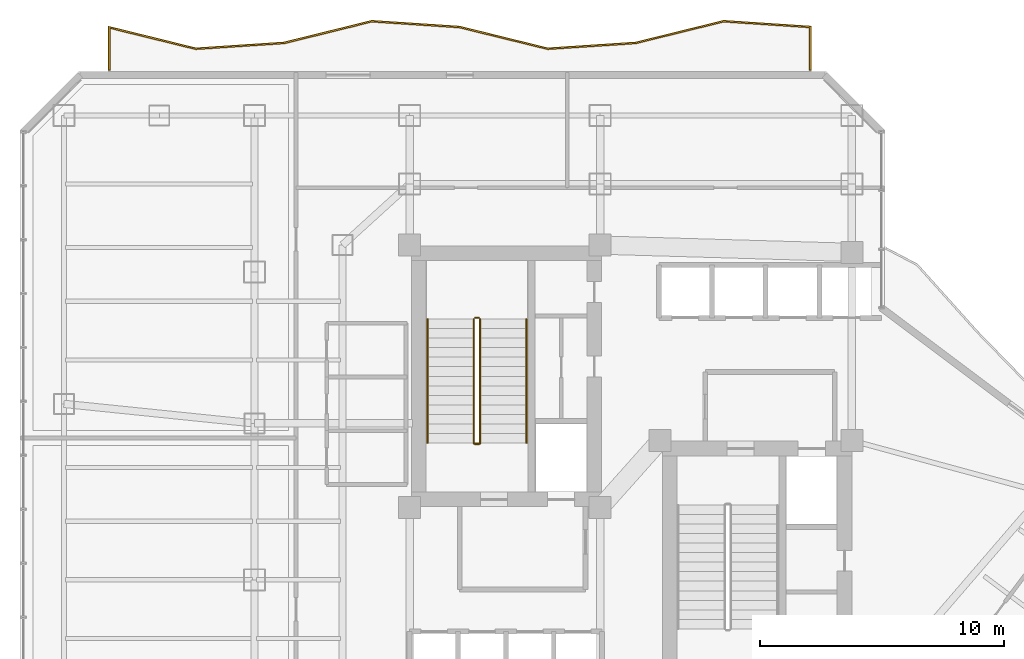
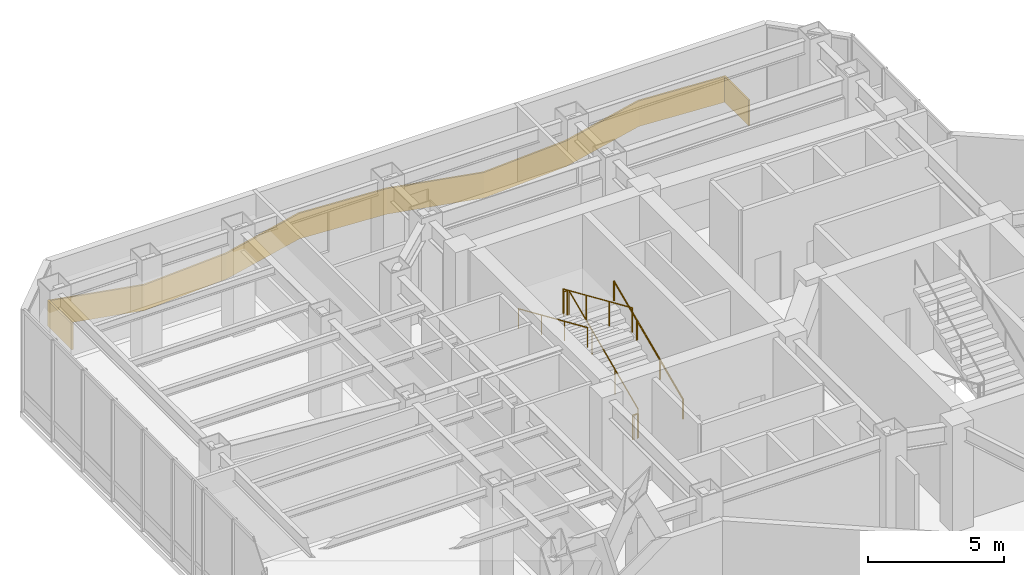
# One storey, part 26 of 27: 8 railings.
"""IFC4 building model written with IfcOpenShell, lengths in metres."""

from ifc_helpers import new_model, si_unit, direction, frame, origin, origin_2d, place, context, subcontext, project, spatial, polyline, circle, outline, extrude, material, layer, layer_set, type_object, element, save


model = new_model("IFC4")

# Units and contexts
model_context = context("Model", 3, precision=1e-05, world=origin(), true_north=direction((0.0, 1.0)))
body_context = subcontext(model_context, "Body", "Model", "MODEL_VIEW")
ifc_project = project(units=[si_unit("LENGTHUNIT", "METRE"), si_unit("AREAUNIT", "SQUARE_METRE"), si_unit("VOLUMEUNIT", "CUBIC_METRE"), si_unit("PLANEANGLEUNIT", "RADIAN"), si_unit("MASSUNIT", "GRAM", prefix="KILO")], contexts=[model_context])

# Site, building, storey
site_placement = place(None, origin())
site = spatial("IfcSite", under=ifc_project, at=site_placement, CompositionType="ELEMENT")
building_placement = place(site_placement, origin())
building = spatial("IfcBuilding", under=site, at=building_placement, Name="Hatsunagi Terrace Concourse", CompositionType="ELEMENT")
storey_placement = place(building_placement, frame((0.0, 0.0, 96.449951171875)))
storey = spatial("IfcBuildingStorey", under=building, at=storey_placement, Name="L25", CompositionType="ELEMENT", Elevation=96.449951171875)

# Railings
ifc_material_1 = material(Name="Laminated Glass and Stainless Steel Guard", Category="steel")
ifc_layer_1 = layer(ifc_material_1, 0.070068359375)
ifc_layer_set_1 = layer_set([ifc_layer_1], Name="BalconyGlassGuardRail_1150")
railing_type_1 = type_object("IfcRailingType", Name="BalconyGlassGuardRail_1150", PredefinedType="BALUSTRADE", material=ifc_layer_set_1)
railing_1_placement = place(storey_placement, origin())
element("IfcRailing", 1, at=railing_1_placement, inside=storey, type_object=railing_type_1, Name="Engawa Balcony Guard GRD-01 L25-BN-1", PredefinedType="BALUSTRADE", context=body_context, shape_type="SweptSolid", body=[
    extrude(outline(polyline([(13.215087890625, 50.449951171875), (13.284912109375, 50.449951171875), (13.284912109375, 52.166259765625), (16.79296875, 51.3017578125), (20.413330078125, 51.540283203125), (24.007080078125, 52.427734375), (27.586669921875, 52.190185546875), (31.19287109375, 51.3017578125), (34.8134765625, 51.540283203125), (38.406982421875, 52.427734375), (41.9150390625, 52.1953125), (41.9150390625, 50.449951171875), (41.985107421875, 50.449951171875), (41.985107421875, 52.2607421875), (38.40087890625, 52.498291015625), (34.802490234375, 51.609619140625), (31.19921875, 51.372314453125), (27.597412109375, 52.259765625), (24.0009765625, 52.498291015625), (20.402587890625, 51.609619140625), (16.799072265625, 51.372314453125), (13.215087890625, 52.255615234375), (13.215087890625, 50.449951171875)])), origin(), (0.0, 0.0, 1.0), 1.150146484375),
])
ifc_material_2 = material(Name="Stainless steel", Category="steel")
ifc_layer_2 = layer(ifc_material_2, 0.044921875)
ifc_layer_set_2 = layer_set([ifc_layer_2], Name="StairPitchHandrail_Tower2000")
railing_type_2 = type_object("IfcRailingType", Name="StairPitchHandrail_Tower2000", PredefinedType="HANDRAIL", material=ifc_layer_set_2)
railing_2_placement = place(storey_placement, frame((30.330078125, 35.199951171875, 0.17138671875)))
element("IfcRailing", 2, at=railing_2_placement, inside=storey, type_object=railing_type_2, Name="L25 ST-A stair handrail 1", PredefinedType="HANDRAIL", context=body_context, shape_type="SweptSolid", body=[
    extrude(circle(Radius=0.02392578125, at=origin_2d()), frame((0.0, 0.0, 0.8759765625), z_axis=(0.0, 0.915452779696, 0.402425406936), x_axis=(-1.0, 0.0, 0.0)), (0.0, 0.0, 1.0), 5.538330078125),
    extrude(circle(Radius=0.02099609375, at=origin_2d()), origin(), (0.0, 0.0, 1.0), 0.851806640625),
    extrude(circle(Radius=0.02099609375, at=origin_2d()), frame((0.0, 1.68994140625, 0.742919921875)), (0.0, 0.0, 1.0), 0.851806640625),
    extrude(circle(Radius=0.02099609375, at=origin_2d()), frame((0.0, 3.380126953125, 1.48583984375)), (0.0, 0.0, 1.0), 0.851806640625),
    extrude(circle(Radius=0.02099609375, at=origin_2d()), frame((0.0, 5.070068359375, 2.228759765625)), (0.0, 0.0, 1.0), 0.851806640625),
])
railing_3_placement = place(storey_placement, frame((26.280029296875, 40.27001953125, 2.571533203125)))
element("IfcRailing", 3, at=railing_3_placement, inside=storey, type_object=railing_type_2, Name="L25 ST-A stair handrail 2", PredefinedType="HANDRAIL", context=body_context, shape_type="SweptSolid", body=[
    extrude(circle(Radius=0.02392578125, at=origin_2d()), frame((0.0, 0.0, 0.8759765625), z_axis=(0.0, -0.915469019145, 0.40238846279), x_axis=(1.0, 0.0, 0.0)), (0.0, 0.0, 1.0), 5.538330078125),
    extrude(circle(Radius=0.02099609375, at=origin_2d()), origin(), (0.0, 0.0, 1.0), 0.851806640625),
    extrude(circle(Radius=0.02099609375, at=origin_2d()), frame((0.0, -1.68994140625, 0.742919921875)), (0.0, 0.0, 1.0), 0.851806640625),
    extrude(circle(Radius=0.02099609375, at=origin_2d()), frame((0.0, -3.380126953125, 1.485595703125)), (0.0, 0.0, 1.0), 0.851806640625),
    extrude(circle(Radius=0.02099609375, at=origin_2d()), frame((0.0, -5.070068359375, 2.228515625)), (0.0, 0.0, 1.0), 0.851806640625),
])
ifc_material_3 = material(Name="Stainless steel", Category="steel")
ifc_layer_3 = layer(ifc_material_3, 0.06005859375)
ifc_layer_set_3 = layer_set([ifc_layer_3], Name="StairWellGuard_Tower2000")
railing_type_3 = type_object("IfcRailingType", Name="StairWellGuard_Tower2000", PredefinedType="BALUSTRADE", material=ifc_layer_set_3)
railing_4_placement = place(storey_placement, frame((28.429931640625, 35.199951171875, 0.17138671875)))
element("IfcRailing", 4, at=railing_4_placement, inside=storey, type_object=railing_type_3, Name="L25 ST-A stair guard 1", PredefinedType="BALUSTRADE", context=body_context, shape_type="SweptSolid", body=[
    extrude(circle(Radius=0.02392578125, at=origin_2d()), frame((0.0, 0.0, 1.09619140625), z_axis=(0.0, 0.915452779696, 0.402425406936), x_axis=(-1.0, 0.0, 0.0)), (0.0, 0.0, 1.0), 5.538330078125),
    extrude(circle(Radius=0.02099609375, at=origin_2d()), origin(), (0.0, 0.0, 1.0), 1.072021484375),
    extrude(circle(Radius=0.02099609375, at=origin_2d()), frame((0.0, 1.68994140625, 0.742919921875)), (0.0, 0.0, 1.0), 1.072021484375),
    extrude(circle(Radius=0.02099609375, at=origin_2d()), frame((0.0, 3.380126953125, 1.48583984375)), (0.0, 0.0, 1.0), 1.072021484375),
    extrude(circle(Radius=0.02099609375, at=origin_2d()), frame((0.0, 5.070068359375, 2.228759765625)), (0.0, 0.0, 1.0), 1.072021484375),
])
railing_5_placement = place(storey_placement, frame((28.3798828125, 40.320068359375, 2.400146484375)))
element("IfcRailing", 5, at=railing_5_placement, inside=storey, type_object=railing_type_3, Name="L25 ST-A stair guard 2", PredefinedType="BALUSTRADE", context=body_context, shape_type="SweptSolid", body=[
    extrude(circle(Radius=0.02392578125, at=origin_2d()), frame((0.0, 0.0, 1.09619140625), z_axis=(-1.0, 0.0, 0.0), x_axis=(0.0, -1.0, 0.0)), (0.0, 0.0, 1.0), 0.14990234375),
    extrude(circle(Radius=0.02099609375, at=origin_2d()), origin(), (0.0, 0.0, 1.0), 1.072021484375),
    extrude(circle(Radius=0.02099609375, at=origin_2d()), frame((-0.14990234375, 0.0, 0.0)), (0.0, 0.0, 1.0), 1.072021484375),
])
railing_6_placement = place(storey_placement, frame((28.179931640625, 40.27001953125, 2.571533203125)))
element("IfcRailing", 6, at=railing_6_placement, inside=storey, type_object=railing_type_3, Name="L25 ST-A stair guard 3", PredefinedType="BALUSTRADE", context=body_context, shape_type="SweptSolid", body=[
    extrude(circle(Radius=0.02392578125, at=origin_2d()), frame((0.0, 0.0, 1.09619140625), z_axis=(0.0, -0.915469019145, 0.40238846279), x_axis=(1.0, 0.0, 0.0)), (0.0, 0.0, 1.0), 5.538330078125),
    extrude(circle(Radius=0.02099609375, at=origin_2d()), origin(), (0.0, 0.0, 1.0), 1.072021484375),
    extrude(circle(Radius=0.02099609375, at=origin_2d()), frame((0.0, -1.68994140625, 0.742919921875)), (0.0, 0.0, 1.0), 1.072021484375),
    extrude(circle(Radius=0.02099609375, at=origin_2d()), frame((0.0, -3.380126953125, 1.485595703125)), (0.0, 0.0, 1.0), 1.072021484375),
    extrude(circle(Radius=0.02099609375, at=origin_2d()), frame((0.0, -5.070068359375, 2.228515625)), (0.0, 0.0, 1.0), 1.072021484375),
])
railing_7_placement = place(storey_placement, frame((28.3798828125, 35.14990234375, 0.0)))
element("IfcRailing", 7, at=railing_7_placement, inside=storey, type_object=railing_type_3, Name="L25 ST-A stair guard 4", PredefinedType="BALUSTRADE", context=body_context, shape_type="SweptSolid", body=[
    extrude(circle(Radius=0.02392578125, at=origin_2d()), frame((0.0, 0.0, 1.09619140625), z_axis=(-1.0, 0.0, 0.0), x_axis=(0.0, -1.0, 0.0)), (0.0, 0.0, 1.0), 0.14990234375),
    extrude(circle(Radius=0.02099609375, at=origin_2d()), origin(), (0.0, 0.0, 1.0), 1.072021484375),
    extrude(circle(Radius=0.02099609375, at=origin_2d()), frame((-0.14990234375, 0.0, 0.0)), (0.0, 0.0, 1.0), 1.072021484375),
])
ifc_material_4 = material(Name="Stainless Steel SUS316 Post-and-Rail Guard", Category="steel")
ifc_layer_4 = layer(ifc_material_4, 0.080078125)
ifc_layer_set_4 = layer_set([ifc_layer_4], Name="TerracePlantedGuardRail_1200")
railing_type_4 = type_object("IfcRailingType", Name="TerracePlantedGuardRail_1200", PredefinedType="GUARDRAIL", material=ifc_layer_set_4)
railing_8_placement = place(storey_placement, frame((28.179931640625, 35.179931640625, 0.0)))
element("IfcRailing", 8, at=railing_8_placement, inside=storey, type_object=railing_type_4, Name="Stair ST-A Well Closure Guard L25", PredefinedType="GUARDRAIL", context=body_context, shape_type="SweptSolid", body=[
    extrude(circle(Radius=0.02392578125, at=origin_2d()), frame((0.0, 0.0, 1.09619140625), z_axis=(1.0, 0.0, 0.0), x_axis=(0.0, 1.0, 0.0)), (0.0, 0.0, 1.0), 0.25),
    extrude(circle(Radius=0.02099609375, at=origin_2d()), origin(), (0.0, 0.0, 1.0), 1.072021484375),
    extrude(circle(Radius=0.02099609375, at=origin_2d()), frame((0.25, 0.0, 0.0)), (0.0, 0.0, 1.0), 1.072021484375),
])

save(model, "model.ifc")
